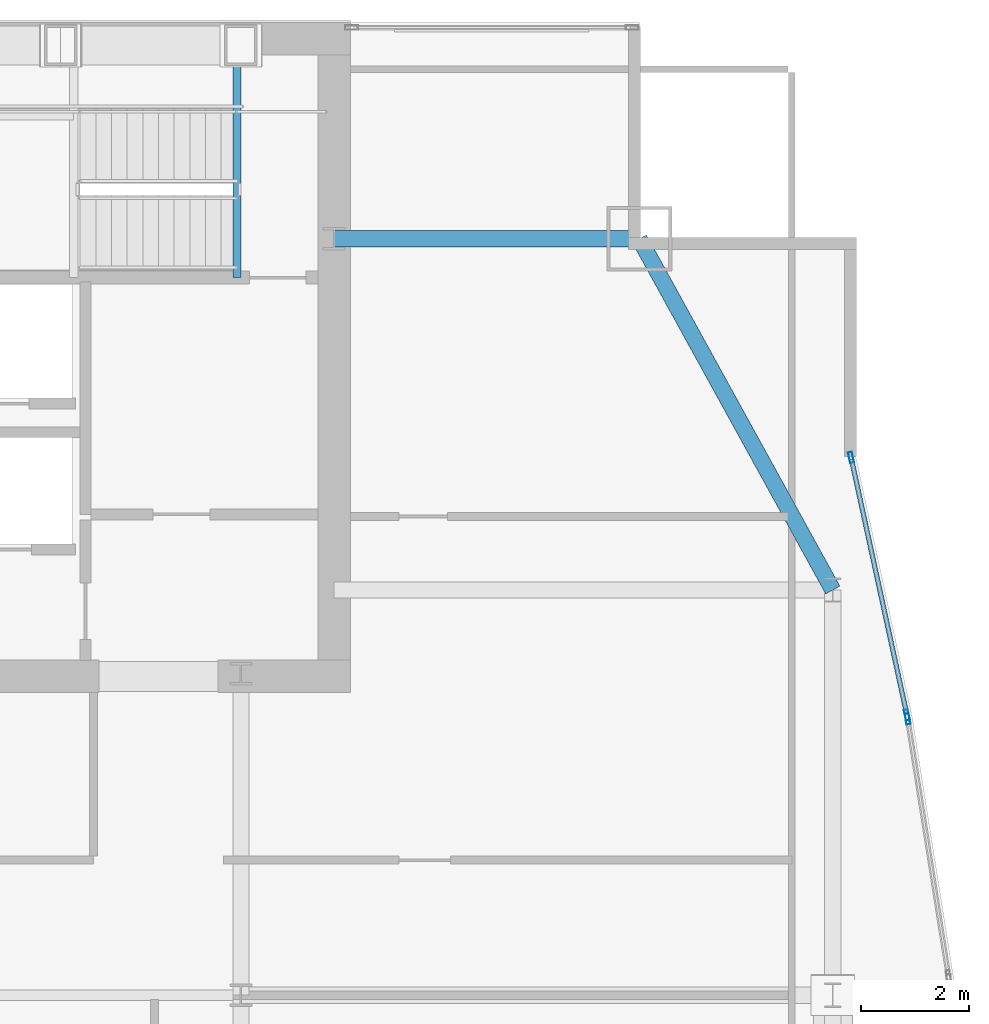
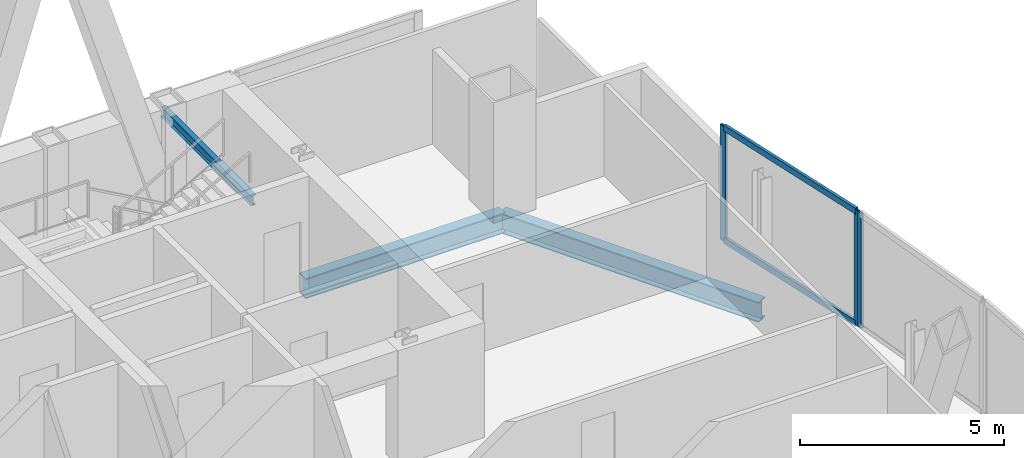
# One storey, part 25 of 33: 5 members, 3 beams, 2 elements without a shape of their own.
"""IFC4 building model written with IfcOpenShell, lengths in metres."""

from ifc_helpers import new_model, si_unit, direction, frame, origin, origin_2d, place, context, subcontext, project, spatial, hollow_rectangle, i_section, extrude, material, material_profile, profile_set, type_object, element, aggregate, save


model = new_model("IFC4")

# Units and contexts
model_context = context("Model", 3, precision=1e-05, world=origin(), true_north=direction((0.0, 1.0)))
body_context = subcontext(model_context, "Body", "Model", "MODEL_VIEW")
ifc_project = project(units=[si_unit("LENGTHUNIT", "METRE"), si_unit("AREAUNIT", "SQUARE_METRE"), si_unit("VOLUMEUNIT", "CUBIC_METRE"), si_unit("PLANEANGLEUNIT", "RADIAN"), si_unit("MASSUNIT", "GRAM", prefix="KILO")], contexts=[model_context])

# Site, building, storey
site_placement = place(None, origin())
site = spatial("IfcSite", under=ifc_project, at=site_placement, CompositionType="ELEMENT")
building_placement = place(site_placement, origin())
building = spatial("IfcBuilding", under=site, at=building_placement, Name="Khoronbel Lancet Exchange", CompositionType="ELEMENT")
storey_placement = place(building_placement, frame((0.0, 0.0, 210.199951171875)))
storey = spatial("IfcBuildingStorey", under=building, at=storey_placement, Name="L53", CompositionType="ELEMENT", Elevation=210.199951171875)

# Beams
ifc_material_1 = material(Name="Steel S355", Category="steel")
ifc_material_profile_1 = material_profile(ifc_material_1, i_section(OverallWidth=0.14990234375, OverallDepth=0.300048828125, WebThickness=0.007080078125, FlangeThickness=0.0107421875, at=origin_2d()), Name="IPE 300")
ifc_profile_set_1 = profile_set([ifc_material_profile_1], Name="Steel S355")
beam_type_1 = type_object("IfcBeamType", Name="BM-BJ8", PredefinedType="JOIST", material=ifc_profile_set_1)
beam_1_placement = place(storey_placement, frame((54.60009765625, 48.97998046875, 3.16015625), z_axis=(0.0, 1.0, 0.0), x_axis=(-1.0, 0.0, 0.0)))
element("IfcBeam", 1, at=beam_1_placement, inside=storey, type_object=beam_type_1, Name="Level L53 stair ST2 upper-flight arrival trimmer beam", PredefinedType="JOIST", context=body_context, shape_type="SweptSolid", body=[
    extrude(i_section(OverallWidth=0.14990234375, OverallDepth=0.300048828125, WebThickness=0.007080078125, FlangeThickness=0.0107421875, at=origin_2d()), origin(), (0.0, 0.0, 1.0), 4.419921875),
])
ifc_material_profile_2 = material_profile(ifc_material_1, i_section(OverallWidth=0.300048828125, OverallDepth=0.60009765625, WebThickness=0.015380859375, FlangeThickness=0.030029296875, at=origin_2d()), Name="HEB 600")
ifc_profile_set_2 = profile_set([ifc_material_profile_2], Name="Steel S355")
beam_type_2 = type_object("IfcBeamType", Name="BM-BSP2", PredefinedType="SPANDREL", material=ifc_profile_set_2)
beam_2_placement = place(storey_placement, frame((65.6298828125, 43.199951171875, -0.4599609375), z_axis=(-0.482418808117, 0.875940690672, 0.0), x_axis=(-0.875940690672, -0.482418808117, 0.0)))
element("IfcBeam", 2, at=beam_2_placement, inside=storey, type_object=beam_type_2, Name="Level L53 perimeter spandrel beam SP15", PredefinedType="SPANDREL", context=body_context, shape_type="SweptSolid", body=[
    extrude(i_section(OverallWidth=0.300048828125, OverallDepth=0.60009765625, WebThickness=0.015380859375, FlangeThickness=0.030029296875, at=origin_2d()), origin(), (0.0, 0.0, 1.0), 7.420654296875),
])
beam_3_placement = place(storey_placement, frame((62.050048828125, 49.699951171875, -0.4599609375), z_axis=(-1.0, 0.0, 0.0), x_axis=(0.0, -1.0, 0.0)))
element("IfcBeam", 3, at=beam_3_placement, inside=storey, type_object=beam_type_2, Name="Level L53 north flank tie spandrel SP23", PredefinedType="SPANDREL", context=body_context, shape_type="SweptSolid", body=[
    extrude(i_section(OverallWidth=0.300048828125, OverallDepth=0.60009765625, WebThickness=0.015380859375, FlangeThickness=0.030029296875, at=origin_2d()), origin(), (0.0, 0.0, 1.0), 5.650146484375),
])

# Curtain wall, members
ifc_material_2 = material(Name="Low-E Solar Control Insulating Glass", Category="glass")
curtain_wall_type = type_object("IfcCurtainWallType", Name="CW-4", PredefinedType="NOTDEFINED", material=ifc_material_2)
curtain_wall_1_placement = place(storey_placement, origin())
curtain_wall_1 = element("IfcCurtainWall", 4, at=curtain_wall_1_placement, inside=storey, type_object=curtain_wall_type, Name="Unitised curtain wall CW-L53-E17", PredefinedType="NOTDEFINED")
ifc_material_3 = material(Name="Bronze-Anodised Aluminium 6063-T6", Category="aluminium")
ifc_material_profile_3 = material_profile(ifc_material_3, hollow_rectangle(XDim=0.074951171875, YDim=0.199951171875, WallThickness=0.0048828125, at=origin_2d()), Name="ALU MULLION 75x200")
ifc_profile_set_3 = profile_set([ifc_material_profile_3], Name="Bronze-Anodised Aluminium 6063-T6")
member_type_1 = type_object("IfcMemberType", Name="MEM-CWM2", PredefinedType="MULLION", material=ifc_profile_set_3)
member_1_placement = place(storey_placement, frame((65.968017578125, 45.65380859375, 0.0), z_axis=(0.0, 0.0, 1.0), x_axis=(0.977286842552, 0.211920804489, 0.0)))
member_1 = element("IfcMember", 5, at=member_1_placement, type_object=member_type_1, Name="CW4 mullion 1", PredefinedType="MULLION", context=body_context, shape_type="SweptSolid", body=[
    extrude(hollow_rectangle(XDim=0.074951171875, YDim=0.199951171875, WallThickness=0.0048828125, at=origin_2d()), origin(), (0.0, 0.0, 1.0), 3.43994140625),
])
member_2_placement = place(storey_placement, frame((67.001708984375, 40.88671875, 0.0), z_axis=(0.0, 0.0, 1.0), x_axis=(0.977286842552, 0.211920804489, 0.0)))
member_2 = element("IfcMember", 6, at=member_2_placement, type_object=member_type_1, Name="CW4 mullion 2", PredefinedType="MULLION", context=body_context, shape_type="SweptSolid", body=[
    extrude(hollow_rectangle(XDim=0.074951171875, YDim=0.199951171875, WallThickness=0.0048828125, at=origin_2d()), origin(), (0.0, 0.0, 1.0), 3.43994140625),
])

# Curtain wall, member
curtain_wall_2_placement = place(storey_placement, origin())
curtain_wall_2 = element("IfcCurtainWall", 7, at=curtain_wall_2_placement, inside=storey, type_object=curtain_wall_type, Name="Unitised curtain wall CW-L53-E18", PredefinedType="NOTDEFINED")
member_3_placement = place(storey_placement, frame((67.015380859375, 40.81298828125, 0.0), z_axis=(0.0, 0.0, 1.0), x_axis=(0.987632712105, 0.156785286236, 0.0)))
member_3 = element("IfcMember", 8, at=member_3_placement, type_object=member_type_1, Name="CW4 mullion 1", PredefinedType="MULLION", context=body_context, shape_type="SweptSolid", body=[
    extrude(hollow_rectangle(XDim=0.074951171875, YDim=0.199951171875, WallThickness=0.0048828125, at=origin_2d()), origin(), (0.0, 0.0, 1.0), 3.43994140625),
])
aggregate(curtain_wall_2, [member_3])

# Member
ifc_material_profile_4 = material_profile(ifc_material_3, hollow_rectangle(XDim=0.0849609375, YDim=0.179931640625, WallThickness=0.0048828125, at=origin_2d()), Name="ALU TRANSOM 85x180")
ifc_profile_set_4 = profile_set([ifc_material_profile_4], Name="Bronze-Anodised Aluminium 6063-T6")
member_type_2 = type_object("IfcMemberType", Name="MEM-CWT1", PredefinedType="USERDEFINED", material=ifc_profile_set_4)
member_4_placement = place(storey_placement, frame((65.975830078125, 45.6171875, 0.04248046875), z_axis=(0.211916803475, -0.977287710147, 0.0), x_axis=(0.977287710147, 0.211916803475, 0.0)))
member_4 = element("IfcMember", 9, at=member_4_placement, type_object=member_type_2, Name="CW4 transom 1.1", ObjectType="TRANSOM", PredefinedType="USERDEFINED", context=body_context, shape_type="SweptSolid", body=[
    extrude(hollow_rectangle(XDim=0.0849609375, YDim=0.179931640625, WallThickness=0.0048828125, at=origin_2d()), origin(), (0.0, 0.0, 1.0), 4.802978515625),
])

member_5_placement = place(storey_placement, frame((65.975830078125, 45.6171875, 3.3974609375), z_axis=(0.211916803475, -0.977287710147, 0.0), x_axis=(0.977287710147, 0.211916803475, 0.0)))
member_5 = element("IfcMember", 10, at=member_5_placement, type_object=member_type_2, Name="CW4 transom 1.2", ObjectType="TRANSOM", PredefinedType="USERDEFINED", context=body_context, shape_type="SweptSolid", body=[
    extrude(hollow_rectangle(XDim=0.0849609375, YDim=0.179931640625, WallThickness=0.0048828125, at=origin_2d()), origin(), (0.0, 0.0, 1.0), 4.802978515625),
])

aggregate(curtain_wall_1, [member_1, member_2, member_4, member_5])

save(model, "model.ifc")
